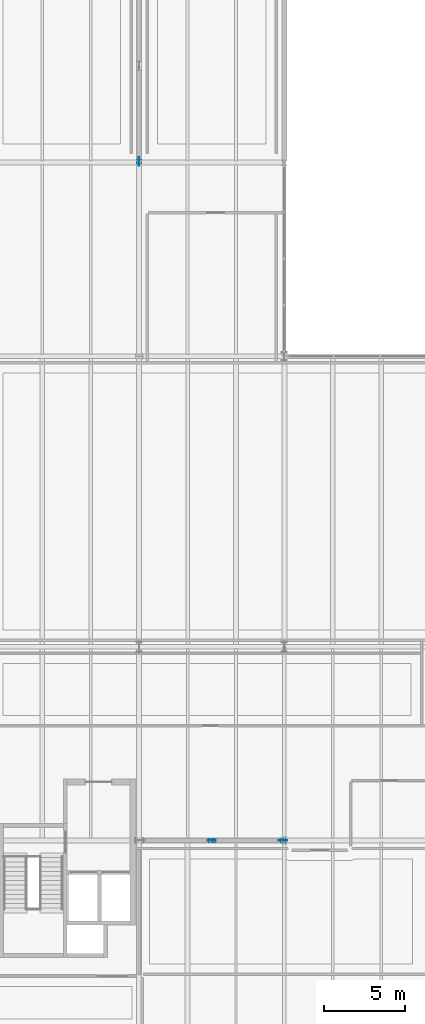
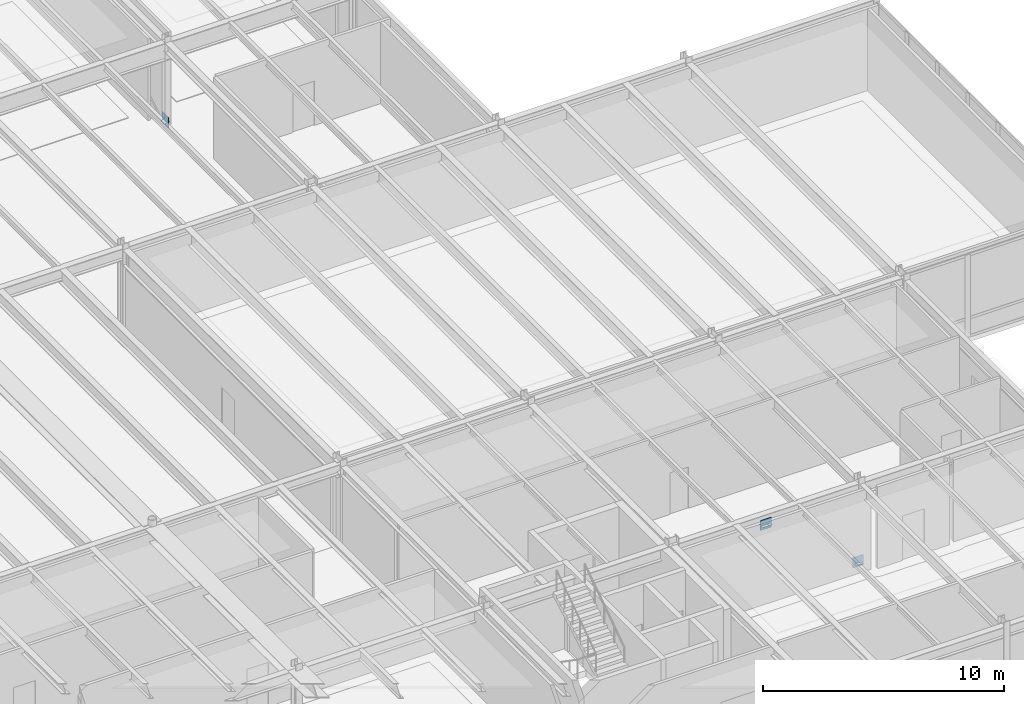
# One storey, part 105 of 127: 7 plates.
"""IFC4 building model written with IfcOpenShell, lengths in metres."""

from ifc_helpers import new_model, si_unit, direction, frame, origin, origin_2d, place, context, subcontext, project, spatial, rectangle, extrude, material, layer, layer_set, type_object, element, save


model = new_model("IFC4")

# Units and contexts
model_context = context("Model", 3, precision=1e-05, world=origin(), true_north=direction((0.0, 1.0)))
body_context = subcontext(model_context, "Body", "Model", "MODEL_VIEW")
ifc_project = project(units=[si_unit("LENGTHUNIT", "METRE"), si_unit("AREAUNIT", "SQUARE_METRE"), si_unit("VOLUMEUNIT", "CUBIC_METRE"), si_unit("PLANEANGLEUNIT", "RADIAN"), si_unit("MASSUNIT", "GRAM", prefix="KILO")], contexts=[model_context])

# Site, building, storey
site_placement = place(None, origin())
site = spatial("IfcSite", under=ifc_project, at=site_placement, CompositionType="ELEMENT")
building_placement = place(site_placement, origin())
building = spatial("IfcBuilding", under=site, at=building_placement, Name="Montelvaro Courts of Justice", CompositionType="ELEMENT")
storey_placement = place(building_placement, frame((0.0, 0.0, 5.39990234375)))
storey = spatial("IfcBuildingStorey", under=building, at=storey_placement, Name="L01", CompositionType="ELEMENT", Elevation=5.39990234375)

# Plates
ifc_material = material(Name="Steel S355", Category="steel")
ifc_layer_1 = layer(ifc_material, 0.011962890625)
ifc_layer_set_1 = layer_set([ifc_layer_1], Name="Steel S355")
plate_type_1 = type_object("IfcPlateType", Name="EndCapPlate_12", PredefinedType="USERDEFINED", material=ifc_layer_set_1)
for number, where, z_axis, x_axis, name in (
    (1, (121.419921875, 12.0, 3.56396484375), (0.0, 0.0, 1.0), (1.0, 0.0, 0.0), "Brace End Cap Plate CP-01 CBF2-L01-1B"),
    (2, (125.919921875, 12.0, 0.07421875), (0.0, 0.0, 1.0), (1.0, 0.0, 0.0), "Brace End Cap Plate CP-01 CBF2-L01-2A"),
    (3, (121.580078125, 12.0, 3.56396484375), (0.0, 0.0, 1.0), (1.0, 0.0, 0.0), "Brace End Cap Plate CP-01 CBF2-L01-2B"),
    (4, (117.0, 54.080078125, 0.07421875), (0.0, 0.0, 1.0), (1.0, 0.0, 0.0), "Brace End Cap Plate CP-01 CBF4-L01-1A"),
):
    element("IfcPlate", number, at=place(storey_placement, frame(where, z_axis=z_axis, x_axis=x_axis)), inside=storey, type_object=plate_type_1, Name=name, ObjectType="GUSSET PLATE", PredefinedType="USERDEFINED", context=body_context, shape_type="SweptSolid", body=[
        extrude(rectangle(XDim=0.300048828125, YDim=0.300048828125, at=origin_2d()), origin(), (0.0, 0.0, 1.0), 0.011962890625),
    ])
ifc_layer_2 = layer(ifc_material, 0.02001953125)
ifc_layer_set_2 = layer_set([ifc_layer_2], Name="Steel S355")
plate_type_2 = type_object("IfcPlateType", Name="GussetPlate_20", PredefinedType="USERDEFINED", material=ifc_layer_set_2)
for number, where, z_axis, x_axis, name in (
    (5, (125.919921875, 12.0, -0.099853515625), (0.0, 0.0, 1.0), (1.0, 0.0, 0.0), "Chevron Brace Base Gusset Plate GP-01 CBF2-L01-B2"),
    (6, (121.5, 12.0, 3.35009765625), (0.0, 0.0, 1.0), (1.0, 0.0, 0.0), "Chevron Brace Gusset Plate GP-01 CBF2-L01"),
):
    element("IfcPlate", number, at=place(storey_placement, frame(where, z_axis=z_axis, x_axis=x_axis)), inside=storey, type_object=plate_type_2, Name=name, ObjectType="GUSSET PLATE", PredefinedType="USERDEFINED", context=body_context, shape_type="SweptSolid", body=[
        extrude(rectangle(XDim=0.52001953125, YDim=0.02001953125, at=origin_2d()), origin(), (0.0, 0.0, 1.0), 0.52001953125),
    ])
plate_placement = place(storey_placement, frame((117.0, 54.080078125, -0.099853515625), z_axis=(0.0, 0.0, 1.0), x_axis=(1.0, 0.0, 0.0)))
element("IfcPlate", 7, at=plate_placement, inside=storey, type_object=plate_type_2, Name="Chevron Brace Base Gusset Plate GP-01 CBF4-L01-B1", ObjectType="GUSSET PLATE", PredefinedType="USERDEFINED", context=body_context, shape_type="SweptSolid", body=[
    extrude(rectangle(XDim=0.02001953125, YDim=0.52001953125, at=origin_2d()), origin(), (0.0, 0.0, 1.0), 0.52001953125),
])

save(model, "model.ifc")
